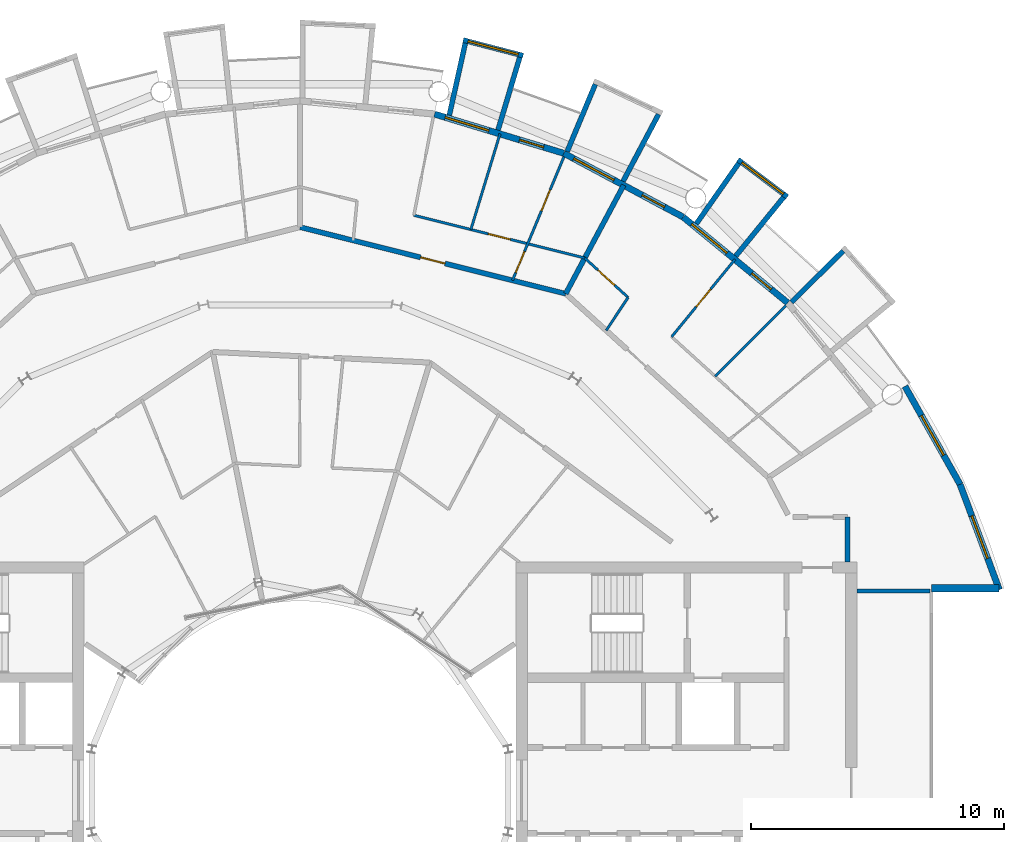
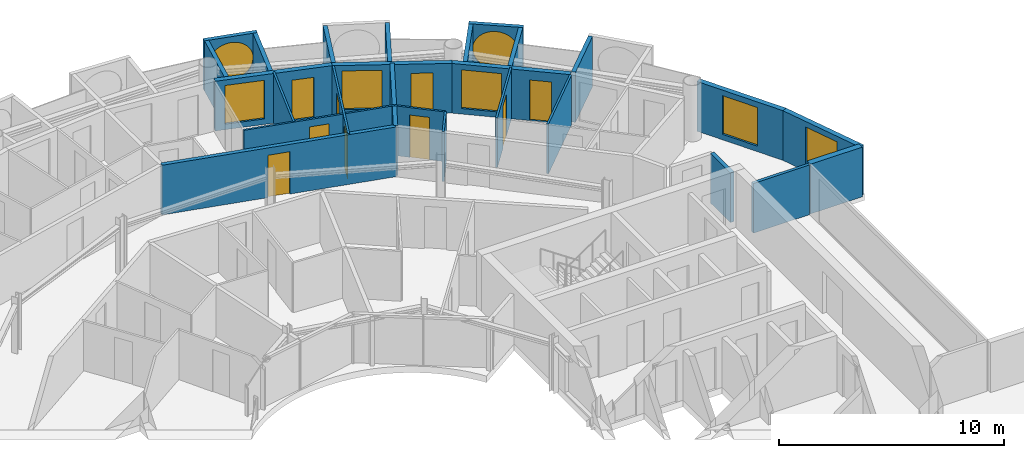
# One storey, part 24 of 29: 26 walls, 9 doors, 7 windows, 16 openings.
"""IFC4 building model written with IfcOpenShell, lengths in metres."""

from ifc_helpers import new_model, si_unit, direction, frame, frame_2d, origin, place, context, subcontext, project, spatial, rectangle, circle, extrude, material, layer, layer_set, type_object, element, fill, save


model = new_model("IFC4")

# Units and contexts
model_context = context("Model", 3, precision=1e-05, world=origin(), true_north=direction((0.0, 1.0)))
body_context = subcontext(model_context, "Body", "Model", "MODEL_VIEW")
ifc_project = project(units=[si_unit("LENGTHUNIT", "METRE"), si_unit("AREAUNIT", "SQUARE_METRE"), si_unit("VOLUMEUNIT", "CUBIC_METRE"), si_unit("PLANEANGLEUNIT", "RADIAN"), si_unit("MASSUNIT", "GRAM", prefix="KILO")], contexts=[model_context])

# Site, building, storey
site_placement = place(None, origin())
site = spatial("IfcSite", under=ifc_project, at=site_placement, CompositionType="ELEMENT")
building_placement = place(site_placement, origin())
building = spatial("IfcBuilding", under=site, at=building_placement, Name="Maasbend Ring Residences", CompositionType="ELEMENT")
storey_placement = place(building_placement, frame((0.0, 0.0, 193.25)))
storey = spatial("IfcBuildingStorey", under=building, at=storey_placement, Name="L55", CompositionType="ELEMENT", Elevation=193.25)

# Wall
ifc_material_1 = material(Name="Concrete C30/37", Category="concrete")
ifc_layer_1 = layer(ifc_material_1, 0.199951171875)
ifc_layer_set_1 = layer_set([ifc_layer_1], Name="Concrete C30/37")
wall_type_1 = type_object("IfcWallType", Name="CORRIDOR WALL 200 CONCRETE", PredefinedType="PARTITIONING", material=ifc_layer_set_1)
wall_1_placement = place(storey_placement, frame((21.675048828125, 9.050048828125, 0.0), z_axis=(0.0, 0.0, 1.0), x_axis=(0.0, 1.0, 0.0)))
element("IfcWall", 1, at=wall_1_placement, inside=storey, type_object=wall_type_1, Name="U-L55-w012", PredefinedType="PARTITIONING", context=body_context, shape_type="SweptSolid", body=[
    extrude(rectangle(XDim=1.77490234375, YDim=0.199951171875, at=frame_2d((0.887451171875, 0.0))), origin(), (0.0, 0.0, 1.0), 2.699951171875),
])

# Wall, opening, door
wall_2_placement = place(storey_placement, frame((0.0, 22.300048828125, 0.0), z_axis=(0.0, 0.0, 1.0), x_axis=(0.969975443945, -0.243202874456, 0.0)))
wall_2 = element("IfcWall", 2, at=wall_2_placement, inside=storey, type_object=wall_type_1, Name="U-L55-w106", PredefinedType="PARTITIONING", context=body_context, shape_type="SweptSolid", body=[
    extrude(rectangle(XDim=10.8466796875, YDim=0.199951171875, at=frame_2d((5.42333984375, 0.0))), origin(), (0.0, 0.0, 1.0), 2.699951171875),
])
opening_1_placement = place(wall_2_placement, frame((4.91796875, 0.0, 0.0)))
opening_1 = element("IfcOpeningElement", 3, at=opening_1_placement, cuts=wall_2, Name="Opening D-5507", PredefinedType="OPENING", context=body_context, shape_type="SweptSolid", body=[
    extrude(rectangle(XDim=1.0, YDim=2.300048828125, at=frame_2d((0.5, 1.14990234375))), frame((0.0, 0.10986328125, 0.0), z_axis=(0.0, -1.0, 0.0), x_axis=(1.0, 0.0, 0.0)), (0.0, 0.0, 1.0), 0.219970703125),
])
ifc_material_2 = material(Name="Timber, fire-rated, painted", Category="wood")
door_type_1 = type_object("IfcDoorType", Name="FLAT ENTRANCE DOOR 1000 X 2300 FIRE-RATED", OperationType="NOTDEFINED", PredefinedType="DOOR", material=ifc_material_2)
door_1_placement = place(opening_1_placement, origin())
door_1 = element("IfcDoor", 4, at=door_1_placement, inside=storey, type_object=door_type_1, Name="D-5507", OperationType="SINGLE_SWING_LEFT", OverallHeight=2.300048828125, OverallWidth=1.0, PredefinedType="DOOR", context=body_context, shape_type="SweptSolid", body=[
    extrude(rectangle(XDim=1.0, YDim=2.300048828125, at=frame_2d((0.5, 1.14990234375))), frame((0.0, 0.02490234375, 0.0), z_axis=(0.0, -1.0, 0.0), x_axis=(1.0, 0.0, 0.0)), (0.0, 0.0, 1.0), 0.050048828125),
])
fill(opening_1, door_1)

# Wall
ifc_material_3 = material(Name="Pale anodised aluminium panel", Category="aluminium")
ifc_layer_2 = layer(ifc_material_3, 0.199951171875)
ifc_layer_set_2 = layer_set([ifc_layer_2], Name="EW-BOX")
wall_type_2 = type_object("IfcWallType", Name="EW-BOX", PredefinedType="SOLIDWALL", material=ifc_layer_set_2)
wall_3_placement = place(storey_placement, frame((19.449951171875, 19.322998046875, -0.030029296875), z_axis=(0.0, 0.0, 1.0), x_axis=(0.709727076896, 0.704476739375, 0.0)))
element("IfcWall", 5, at=wall_3_placement, inside=storey, type_object=wall_type_2, Name="Box side wall N02 right", PredefinedType="SOLIDWALL", context=body_context, shape_type="SweptSolid", body=[
    extrude(rectangle(XDim=2.883056640625, YDim=0.199951171875, at=frame_2d((1.44140625, 0.0))), origin(), (0.0, 0.0, 1.0), 2.72998046875),
])

# Wall, opening, window
wall_4_placement = place(storey_placement, frame((19.2890625, 23.4970703125, -0.030029296875), z_axis=(0.0, 0.0, 1.0), x_axis=(-0.797887588059, 0.602806268067, 0.0)))
wall_4 = element("IfcWall", 6, at=wall_4_placement, inside=storey, type_object=wall_type_2, Name="Box front N04", PredefinedType="SOLIDWALL", context=body_context, shape_type="SweptSolid", body=[
    extrude(rectangle(XDim=2.446533203125, YDim=0.199951171875, at=frame_2d((1.22314453125, 0.0))), origin(), (0.0, 0.0, 1.0), 2.72998046875),
])
opening_2_placement = place(wall_4_placement, frame((0.182861328125, 0.0, 0.330078125)))
opening_2 = element("IfcOpeningElement", 7, at=opening_2_placement, cuts=wall_4, Name="Opening W-RD", PredefinedType="OPENING", context=body_context, shape_type="SweptSolid", body=[
    extrude(circle(Radius=1.0400390625, at=frame_2d((1.0400390625, 1.0400390625))), frame((0.0, 0.10986328125, 0.0), z_axis=(0.0, -1.0, 0.0), x_axis=(1.0, 0.0, 0.0)), (0.0, 0.0, 1.0), 0.219970703125),
])
ifc_material_4 = material(Name="Aluminium and clear glass", Category="aluminium")
window_type_1 = type_object("IfcWindowType", Name="W-RD", PartitioningType="SINGLE_PANEL", PredefinedType="WINDOW", material=ifc_material_4)
window_1_placement = place(opening_2_placement, origin())
window_1 = element("IfcWindow", 8, at=window_1_placement, inside=storey, type_object=window_type_1, Name="Round window N04", OverallHeight=2.080078125, OverallWidth=2.080078125, PartitioningType="SINGLE_PANEL", PredefinedType="WINDOW", context=body_context, shape_type="SweptSolid", body=[
    extrude(circle(Radius=1.0400390625, at=frame_2d((1.0400390625, 1.0400390625))), frame((0.0, 0.030029296875, 0.0), z_axis=(0.0, -1.0, 0.0), x_axis=(1.0, 0.0, 0.0)), (0.0, 0.0, 1.0), 0.06005859375),
])
fill(opening_2, window_1)

# Walls
wall_5_placement = place(storey_placement, frame((17.24609375, 21.155029296875, -0.030029296875), z_axis=(0.0, 0.0, 1.0), x_axis=(0.631741648902, 0.775179004516, 0.0)))
element("IfcWall", 9, at=wall_5_placement, inside=storey, type_object=wall_type_2, Name="Box side wall N04 left", PredefinedType="SOLIDWALL", context=body_context, shape_type="SweptSolid", body=[
    extrude(rectangle(XDim=3.005859375, YDim=0.199951171875, at=frame_2d((1.5029296875, 0.0))), origin(), (0.0, 0.0, 1.0), 2.72998046875),
])
wall_6_placement = place(storey_placement, frame((15.68798828125, 22.43310546875, -0.030029296875), z_axis=(0.0, 0.0, 1.0), x_axis=(0.573260687834, 0.819373043115, 0.0)))
element("IfcWall", 10, at=wall_6_placement, inside=storey, type_object=wall_type_2, Name="Box side wall N04 right", PredefinedType="SOLIDWALL", context=body_context, shape_type="SweptSolid", body=[
    extrude(rectangle(XDim=2.92529296875, YDim=0.199951171875, at=frame_2d((1.462646484375, 0.0))), origin(), (0.0, 0.0, 1.0), 2.72998046875),
])
wall_7_placement = place(storey_placement, frame((12.787109375, 24.113037109375, -0.030029296875), z_axis=(0.0, 0.0, 1.0), x_axis=(0.468365282436, 0.883534924159, 0.0)))
element("IfcWall", 11, at=wall_7_placement, inside=storey, type_object=wall_type_2, Name="Box side wall N06 left", PredefinedType="SOLIDWALL", context=body_context, shape_type="SweptSolid", body=[
    extrude(rectangle(XDim=3.006103515625, YDim=0.199951171875, at=frame_2d((1.5029296875, 0.0))), origin(), (0.0, 0.0, 1.0), 2.72998046875),
])
wall_8_placement = place(storey_placement, frame((10.574951171875, 25.294921875, -0.030029296875), z_axis=(0.0, 0.0, 1.0), x_axis=(0.385697364644, 0.922625353492, 0.0)))
element("IfcWall", 12, at=wall_8_placement, inside=storey, type_object=wall_type_2, Name="Box side wall N06 right", PredefinedType="SOLIDWALL", context=body_context, shape_type="SweptSolid", body=[
    extrude(rectangle(XDim=2.88330078125, YDim=0.199951171875, at=frame_2d((1.441650390625, 0.0))), origin(), (0.0, 0.0, 1.0), 2.72998046875),
])

# Wall, opening, window
wall_9_placement = place(storey_placement, frame((8.8291015625, 29.090087890625, -0.030029296875), z_axis=(0.0, 0.0, 1.0), x_axis=(-0.96789536872, 0.251353446784, 0.0)))
wall_9 = element("IfcWall", 13, at=wall_9_placement, inside=storey, type_object=wall_type_2, Name="Box front N08", PredefinedType="SOLIDWALL", context=body_context, shape_type="SweptSolid", body=[
    extrude(rectangle(XDim=2.44677734375, YDim=0.199951171875, at=frame_2d((1.223388671875, 0.0))), origin(), (0.0, 0.0, 1.0), 2.72998046875),
])
opening_3_placement = place(wall_9_placement, frame((0.182861328125, 0.0, 0.330078125)))
opening_3 = element("IfcOpeningElement", 14, at=opening_3_placement, cuts=wall_9, Name="Opening W-RD", PredefinedType="OPENING", context=body_context, shape_type="SweptSolid", body=[
    extrude(circle(Radius=1.0400390625, at=frame_2d((1.0400390625, 1.0400390625))), frame((0.0, 0.10986328125, 0.0), z_axis=(0.0, -1.0, 0.0), x_axis=(1.0, 0.0, 0.0)), (0.0, 0.0, 1.0), 0.219970703125),
])
window_2_placement = place(opening_3_placement, origin())
window_2 = element("IfcWindow", 15, at=window_2_placement, inside=storey, type_object=window_type_1, Name="Round window N08", OverallHeight=2.080078125, OverallWidth=2.080078125, PartitioningType="SINGLE_PANEL", PredefinedType="WINDOW", context=body_context, shape_type="SweptSolid", body=[
    extrude(circle(Radius=1.0400390625, at=frame_2d((1.0400390625, 1.0400390625))), frame((0.0, 0.030029296875, 0.0), z_axis=(0.0, -1.0, 0.0), x_axis=(1.0, 0.0, 0.0)), (0.0, 0.0, 1.0), 0.06005859375),
])
fill(opening_3, window_2)

# Walls
wall_10_placement = place(storey_placement, frame((7.8369140625, 26.14404296875, -0.030029296875), z_axis=(0.0, 0.0, 1.0), x_axis=(0.287064767992, 0.957911174889, 0.0)))
element("IfcWall", 16, at=wall_10_placement, inside=storey, type_object=wall_type_2, Name="Box side wall N08 left", PredefinedType="SOLIDWALL", context=body_context, shape_type="SweptSolid", body=[
    extrude(rectangle(XDim=3.00634765625, YDim=0.199951171875, at=frame_2d((1.503173828125, 0.0))), origin(), (0.0, 0.0, 1.0), 2.72998046875),
])
wall_11_placement = place(storey_placement, frame((5.908935546875, 26.72900390625, -0.030029296875), z_axis=(0.0, 0.0, 1.0), x_axis=(0.216409053917, 0.976302781612, 0.0)))
element("IfcWall", 17, at=wall_11_placement, inside=storey, type_object=wall_type_2, Name="Box side wall N08 right", PredefinedType="SOLIDWALL", context=body_context, shape_type="SweptSolid", body=[
    extrude(rectangle(XDim=2.92529296875, YDim=0.199951171875, at=frame_2d((1.462646484375, 0.0))), origin(), (0.0, 0.0, 1.0), 2.72998046875),
])

# Wall, openings, door, window
ifc_material_5 = material(Name="Aluminium clad insulated panel", Category="aluminium")
ifc_layer_3 = layer(ifc_material_5, 0.25)
ifc_layer_set_3 = layer_set([ifc_layer_3], Name="EW-GL")
wall_type_3 = type_object("IfcWallType", Name="EW-GL", PredefinedType="SOLIDWALL", material=ifc_layer_set_3)
wall_12_placement = place(storey_placement, frame((19.303955078125, 19.303955078125, 0.0), z_axis=(0.0, 0.0, 1.0), x_axis=(-0.773019449054, 0.634382322723, 0.0)))
wall_12 = element("IfcWall", 18, at=wall_12_placement, inside=storey, type_object=wall_type_3, Name="External wall N02", PredefinedType="SOLIDWALL", context=body_context, shape_type="SweptSolid", body=[
    extrude(rectangle(XDim=5.351806640625, YDim=0.25, at=frame_2d((2.67578125, 0.0))), origin(), (0.0, 0.0, 1.0), 2.699951171875),
])
opening_4_placement = place(wall_12_placement, frame((0.841064453125, 0.0, 0.0)))
opening_4 = element("IfcOpeningElement", 19, at=opening_4_placement, cuts=wall_12, Name="Opening D-LG", PredefinedType="OPENING", context=body_context, shape_type="SweptSolid", body=[
    extrude(rectangle(XDim=1.0, YDim=2.199951171875, at=frame_2d((0.5, 1.10009765625))), frame((0.0, 0.135009765625, 0.0), z_axis=(0.0, -1.0, 0.0), x_axis=(1.0, 0.0, 0.0)), (0.0, 0.0, 1.0), 0.27001953125),
])
opening_5_placement = place(wall_12_placement, frame((3.110595703125, 0.0, 0.300048828125)))
opening_5 = element("IfcOpeningElement", 20, at=opening_5_placement, cuts=wall_12, Name="Opening W-BX", PredefinedType="OPENING", context=body_context, shape_type="SweptSolid", body=[
    extrude(rectangle(XDim=1.800048828125, YDim=2.10009765625, at=frame_2d((0.89990234375, 1.050048828125))), frame((0.0, 0.135009765625, 0.0), z_axis=(0.0, -1.0, 0.0), x_axis=(1.0, 0.0, 0.0)), (0.0, 0.0, 1.0), 0.27001953125),
])
ifc_material_6 = material(Name="Aluminium and clear glass", Category="aluminium")
door_type_2 = type_object("IfcDoorType", Name="D-LG", OperationType="SINGLE_SWING_LEFT", PredefinedType="DOOR", material=ifc_material_6)
door_2_placement = place(opening_4_placement, origin())
door_2 = element("IfcDoor", 21, at=door_2_placement, inside=storey, type_object=door_type_2, Name="Loggia door N03", OperationType="SINGLE_SWING_LEFT", OverallHeight=2.199951171875, OverallWidth=1.0, PredefinedType="DOOR", context=body_context, shape_type="SweptSolid", body=[
    extrude(rectangle(XDim=1.0, YDim=2.199951171875, at=frame_2d((0.5, 1.10009765625))), frame((0.0, 0.02490234375, 0.0), z_axis=(0.0, -1.0, 0.0), x_axis=(1.0, 0.0, 0.0)), (0.0, 0.0, 1.0), 0.050048828125),
])
fill(opening_4, door_2)
ifc_material_7 = material(Name="Aluminium and clear glass", Category="aluminium")
window_type_2 = type_object("IfcWindowType", Name="W-BX", PartitioningType="DOUBLE_PANEL_VERTICAL", PredefinedType="WINDOW", material=ifc_material_7)
window_3_placement = place(opening_5_placement, origin())
window_3 = element("IfcWindow", 22, at=window_3_placement, inside=storey, type_object=window_type_2, Name="Window N04 room to box", OverallHeight=2.10009765625, OverallWidth=1.800048828125, PartitioningType="SINGLE_PANEL", PredefinedType="WINDOW", context=body_context, shape_type="SweptSolid", body=[
    extrude(rectangle(XDim=1.800048828125, YDim=2.10009765625, at=frame_2d((0.89990234375, 1.050048828125))), frame((0.0, 0.030029296875, 0.0), z_axis=(0.0, -1.0, 0.0), x_axis=(1.0, 0.0, 0.0)), (0.0, 0.0, 1.0), 0.06005859375),
])
fill(opening_5, window_3)

wall_13_placement = place(storey_placement, frame((15.1669921875, 22.698974609375, 0.0), z_axis=(0.0, 0.0, 1.0), x_axis=(-0.881915646801, 0.471407246368, 0.0)))
wall_13 = element("IfcWall", 23, at=wall_13_placement, inside=storey, type_object=wall_type_3, Name="External wall N03", PredefinedType="SOLIDWALL", context=body_context, shape_type="SweptSolid", body=[
    extrude(rectangle(XDim=5.35205078125, YDim=0.25, at=frame_2d((2.676025390625, 0.0))), origin(), (0.0, 0.0, 1.0), 2.699951171875),
])
opening_6_placement = place(wall_13_placement, frame((0.841064453125, 0.0, 0.0)))
opening_6 = element("IfcOpeningElement", 24, at=opening_6_placement, cuts=wall_13, Name="Opening D-LG", PredefinedType="OPENING", context=body_context, shape_type="SweptSolid", body=[
    extrude(rectangle(XDim=1.0, YDim=2.199951171875, at=frame_2d((0.5, 1.10009765625))), frame((0.0, 0.135009765625, 0.0), z_axis=(0.0, -1.0, 0.0), x_axis=(1.0, 0.0, 0.0)), (0.0, 0.0, 1.0), 0.27001953125),
])
opening_7_placement = place(wall_13_placement, frame((3.110595703125, 0.0, 0.300048828125)))
opening_7 = element("IfcOpeningElement", 25, at=opening_7_placement, cuts=wall_13, Name="Opening W-BX", PredefinedType="OPENING", context=body_context, shape_type="SweptSolid", body=[
    extrude(rectangle(XDim=1.800048828125, YDim=2.10009765625, at=frame_2d((0.89990234375, 1.050048828125))), frame((0.0, 0.135009765625, 0.0), z_axis=(0.0, -1.0, 0.0), x_axis=(1.0, 0.0, 0.0)), (0.0, 0.0, 1.0), 0.27001953125),
])
door_3_placement = place(opening_6_placement, origin())
door_3 = element("IfcDoor", 26, at=door_3_placement, inside=storey, type_object=door_type_2, Name="Loggia door N05", OperationType="SINGLE_SWING_LEFT", OverallHeight=2.199951171875, OverallWidth=1.0, PredefinedType="DOOR", context=body_context, shape_type="SweptSolid", body=[
    extrude(rectangle(XDim=1.0, YDim=2.199951171875, at=frame_2d((0.5, 1.10009765625))), frame((0.0, 0.02490234375, 0.0), z_axis=(0.0, -1.0, 0.0), x_axis=(1.0, 0.0, 0.0)), (0.0, 0.0, 1.0), 0.050048828125),
])
fill(opening_6, door_3)
window_4_placement = place(opening_7_placement, origin())
window_4 = element("IfcWindow", 27, at=window_4_placement, inside=storey, type_object=window_type_2, Name="Window N06 room to box", OverallHeight=2.10009765625, OverallWidth=1.800048828125, PartitioningType="SINGLE_PANEL", PredefinedType="WINDOW", context=body_context, shape_type="SweptSolid", body=[
    extrude(rectangle(XDim=1.800048828125, YDim=2.10009765625, at=frame_2d((0.89990234375, 1.050048828125))), frame((0.0, 0.030029296875, 0.0), z_axis=(0.0, -1.0, 0.0), x_axis=(1.0, 0.0, 0.0)), (0.0, 0.0, 1.0), 0.06005859375),
])
fill(opening_7, window_4)

wall_14_placement = place(storey_placement, frame((10.447021484375, 25.221923828125, 0.0), z_axis=(0.0, 0.0, 1.0), x_axis=(-0.956965678721, 0.290201119486, 0.0)))
wall_14 = element("IfcWall", 28, at=wall_14_placement, inside=storey, type_object=wall_type_3, Name="External wall N04", PredefinedType="SOLIDWALL", context=body_context, shape_type="SweptSolid", body=[
    extrude(rectangle(XDim=5.351318359375, YDim=0.25, at=frame_2d((2.67578125, 0.0))), origin(), (0.0, 0.0, 1.0), 2.699951171875),
])
opening_8_placement = place(wall_14_placement, frame((0.841064453125, 0.0, 0.0)))
opening_8 = element("IfcOpeningElement", 29, at=opening_8_placement, cuts=wall_14, Name="Opening D-LG", PredefinedType="OPENING", context=body_context, shape_type="SweptSolid", body=[
    extrude(rectangle(XDim=1.0, YDim=2.199951171875, at=frame_2d((0.5, 1.10009765625))), frame((0.0, 0.135009765625, 0.0), z_axis=(0.0, -1.0, 0.0), x_axis=(1.0, 0.0, 0.0)), (0.0, 0.0, 1.0), 0.27001953125),
])
opening_9_placement = place(wall_14_placement, frame((3.110595703125, 0.0, 0.300048828125)))
opening_9 = element("IfcOpeningElement", 30, at=opening_9_placement, cuts=wall_14, Name="Opening W-BX", PredefinedType="OPENING", context=body_context, shape_type="SweptSolid", body=[
    extrude(rectangle(XDim=1.800048828125, YDim=2.10009765625, at=frame_2d((0.89990234375, 1.050048828125))), frame((0.0, 0.135009765625, 0.0), z_axis=(0.0, -1.0, 0.0), x_axis=(1.0, 0.0, 0.0)), (0.0, 0.0, 1.0), 0.27001953125),
])
door_4_placement = place(opening_8_placement, origin())
door_4 = element("IfcDoor", 31, at=door_4_placement, inside=storey, type_object=door_type_2, Name="Loggia door N07", OperationType="SINGLE_SWING_LEFT", OverallHeight=2.199951171875, OverallWidth=1.0, PredefinedType="DOOR", context=body_context, shape_type="SweptSolid", body=[
    extrude(rectangle(XDim=1.0, YDim=2.199951171875, at=frame_2d((0.5, 1.10009765625))), frame((0.0, 0.02490234375, 0.0), z_axis=(0.0, -1.0, 0.0), x_axis=(1.0, 0.0, 0.0)), (0.0, 0.0, 1.0), 0.050048828125),
])
fill(opening_8, door_4)
window_5_placement = place(opening_9_placement, origin())
window_5 = element("IfcWindow", 32, at=window_5_placement, inside=storey, type_object=window_type_2, Name="Window N08 room to box", OverallHeight=2.10009765625, OverallWidth=1.800048828125, PartitioningType="SINGLE_PANEL", PredefinedType="WINDOW", context=body_context, shape_type="SweptSolid", body=[
    extrude(rectangle(XDim=1.800048828125, YDim=2.10009765625, at=frame_2d((0.89990234375, 1.050048828125))), frame((0.0, 0.030029296875, 0.0), z_axis=(0.0, -1.0, 0.0), x_axis=(1.0, 0.0, 0.0)), (0.0, 0.0, 1.0), 0.06005859375),
])
fill(opening_9, window_5)

# Wall, opening, window
ifc_material_8 = material(Name="Aluminium clad insulated panel", Category="aluminium")
ifc_layer_4 = layer(ifc_material_8, 0.25)
ifc_layer_set_4 = layer_set([ifc_layer_4], Name="EW-HORN")
wall_type_4 = type_object("IfcWallType", Name="EW-HORN", PredefinedType="SOLIDWALL", material=ifc_layer_set_4)
wall_15_placement = place(storey_placement, frame((27.681884765625, 7.945068359375, 0.0), z_axis=(0.0, 0.0, 1.0), x_axis=(-0.349247811493, 0.937030397675, 0.0)))
wall_15 = element("IfcWall", 33, at=wall_15_placement, inside=storey, type_object=wall_type_4, Name="Horn wall 1.1", PredefinedType="SOLIDWALL", context=body_context, shape_type="SweptSolid", body=[
    extrude(rectangle(XDim=4.4521484375, YDim=0.25, at=frame_2d((2.22607421875, 0.0))), origin(), (0.0, 0.0, 1.0), 2.699951171875),
])
opening_10_placement = place(wall_15_placement, frame((1.32666015625, 0.0, 0.300048828125)))
opening_10 = element("IfcOpeningElement", 34, at=opening_10_placement, cuts=wall_15, Name="Opening W-BX", PredefinedType="OPENING", context=body_context, shape_type="SweptSolid", body=[
    extrude(rectangle(XDim=1.800048828125, YDim=2.10009765625, at=frame_2d((0.89990234375, 1.050048828125))), frame((0.0, 0.135009765625, 0.0), z_axis=(0.0, -1.0, 0.0), x_axis=(1.0, 0.0, 0.0)), (0.0, 0.0, 1.0), 0.27001953125),
])
window_6_placement = place(opening_10_placement, origin())
window_6 = element("IfcWindow", 35, at=window_6_placement, inside=storey, type_object=window_type_2, Name="Horn window 1.1", OverallHeight=2.10009765625, OverallWidth=1.800048828125, PartitioningType="SINGLE_PANEL", PredefinedType="WINDOW", context=body_context, shape_type="SweptSolid", body=[
    extrude(rectangle(XDim=1.800048828125, YDim=2.10009765625, at=frame_2d((0.89990234375, 1.050048828125))), frame((0.0, 0.030029296875, 0.0), z_axis=(0.0, -1.0, 0.0), x_axis=(1.0, 0.0, 0.0)), (0.0, 0.0, 1.0), 0.06005859375),
])
fill(opening_10, window_6)

wall_16_placement = place(storey_placement, frame((26.126953125, 12.116943359375, 0.0), z_axis=(0.0, 0.0, 1.0), x_axis=(-0.489696356642, 0.871893042919, 0.0)))
wall_16 = element("IfcWall", 36, at=wall_16_placement, inside=storey, type_object=wall_type_4, Name="Horn wall 1.2", PredefinedType="SOLIDWALL", context=body_context, shape_type="SweptSolid", body=[
    extrude(rectangle(XDim=4.45361328125, YDim=0.25, at=frame_2d((2.226806640625, 0.0))), origin(), (0.0, 0.0, 1.0), 2.699951171875),
])
opening_11_placement = place(wall_16_placement, frame((1.32666015625, 0.0, 0.300048828125)))
opening_11 = element("IfcOpeningElement", 37, at=opening_11_placement, cuts=wall_16, Name="Opening W-BX", PredefinedType="OPENING", context=body_context, shape_type="SweptSolid", body=[
    extrude(rectangle(XDim=1.800048828125, YDim=2.10009765625, at=frame_2d((0.89990234375, 1.050048828125))), frame((0.0, 0.135009765625, 0.0), z_axis=(0.0, -1.0, 0.0), x_axis=(1.0, 0.0, 0.0)), (0.0, 0.0, 1.0), 0.27001953125),
])
window_7_placement = place(opening_11_placement, origin())
window_7 = element("IfcWindow", 38, at=window_7_placement, inside=storey, type_object=window_type_2, Name="Horn window 1.2", OverallHeight=2.10009765625, OverallWidth=1.800048828125, PartitioningType="SINGLE_PANEL", PredefinedType="WINDOW", context=body_context, shape_type="SweptSolid", body=[
    extrude(rectangle(XDim=1.800048828125, YDim=2.10009765625, at=frame_2d((0.89990234375, 1.050048828125))), frame((0.0, 0.030029296875, 0.0), z_axis=(0.0, -1.0, 0.0), x_axis=(1.0, 0.0, 0.0)), (0.0, 0.0, 1.0), 0.06005859375),
])
fill(opening_11, window_7)

# Wall
ifc_material_9 = material(Name="Aluminium clad insulated panel", Category="aluminium")
ifc_layer_5 = layer(ifc_material_9, 0.300048828125)
ifc_layer_set_5 = layer_set([ifc_layer_5], Name="EW-RET")
wall_type_5 = type_object("IfcWallType", Name="EW-RET", PredefinedType="SOLIDWALL", material=ifc_layer_set_5)
wall_17_placement = place(storey_placement, frame((25.0, 8.0, 0.0), z_axis=(0.0, 0.0, 1.0), x_axis=(1.0, 0.0, 0.0)))
element("IfcWall", 39, at=wall_17_placement, inside=storey, type_object=wall_type_5, Name="Notch return wall east north", PredefinedType="SOLIDWALL", context=body_context, shape_type="SweptSolid", body=[
    extrude(rectangle(XDim=2.6669921875, YDim=0.300048828125, at=frame_2d((1.33349609375, 0.0))), origin(), (0.0, 0.0, 1.0), 2.699951171875),
])

# Wall, openings, doors
ifc_material_10 = material(Name="Gypsum board on steel studs", Category="steel")
ifc_layer_6 = layer(ifc_material_10, 0.10009765625)
ifc_layer_set_6 = layer_set([ifc_layer_6], Name="PARTITION 100 GYPSUM")
wall_type_6 = type_object("IfcWallType", Name="PARTITION 100 GYPSUM", PredefinedType="PARTITIONING", material=ifc_layer_set_6)
wall_18_placement = place(storey_placement, frame((8.409912109375, 20.193115234375, 0.0), z_axis=(0.0, 0.0, 1.0), x_axis=(0.38420646001, 0.923247202046, 0.0)))
wall_18 = element("IfcWall", 40, at=wall_18_placement, inside=storey, type_object=wall_type_6, Name="U-L55-w031", PredefinedType="PARTITIONING", context=body_context, shape_type="SweptSolid", body=[
    extrude(rectangle(XDim=5.299560546875, YDim=0.10009765625, at=frame_2d((2.64990234375, 0.0))), origin(), (0.0, 0.0, 1.0), 2.699951171875),
])
opening_12_placement = place(wall_18_placement, frame((0.3349609375, 0.0, 0.0)))
opening_12 = element("IfcOpeningElement", 41, at=opening_12_placement, cuts=wall_18, Name="Opening D-5509", PredefinedType="OPENING", context=body_context, shape_type="SweptSolid", body=[
    extrude(rectangle(XDim=0.89990234375, YDim=2.300048828125, at=frame_2d((0.449951171875, 1.14990234375))), frame((0.0, 0.06005859375, 0.0), z_axis=(0.0, -1.0, 0.0), x_axis=(1.0, 0.0, 0.0)), (0.0, 0.0, 1.0), 0.1201171875),
])
opening_13_placement = place(wall_18_placement, frame((2.985107421875, 0.0, 0.0)))
opening_13 = element("IfcOpeningElement", 42, at=opening_13_placement, cuts=wall_18, Name="Opening D-5512", PredefinedType="OPENING", context=body_context, shape_type="SweptSolid", body=[
    extrude(rectangle(XDim=0.89990234375, YDim=2.300048828125, at=frame_2d((0.449951171875, 1.14990234375))), frame((0.0, 0.06005859375, 0.0), z_axis=(0.0, -1.0, 0.0), x_axis=(1.0, 0.0, 0.0)), (0.0, 0.0, 1.0), 0.1201171875),
])
ifc_material_11 = material(Name="Timber, painted", Category="wood")
door_type_3 = type_object("IfcDoorType", Name="INTERNAL DOOR 900 X 2300", OperationType="NOTDEFINED", PredefinedType="DOOR", material=ifc_material_11)
door_5_placement = place(opening_12_placement, origin())
door_5 = element("IfcDoor", 43, at=door_5_placement, inside=storey, type_object=door_type_3, Name="D-5509", OperationType="SINGLE_SWING_LEFT", OverallHeight=2.300048828125, OverallWidth=0.89990234375, PredefinedType="DOOR", context=body_context, shape_type="SweptSolid", body=[
    extrude(rectangle(XDim=0.89990234375, YDim=2.300048828125, at=frame_2d((0.449951171875, 1.14990234375))), frame((0.0, 0.02490234375, 0.0), z_axis=(0.0, -1.0, 0.0), x_axis=(1.0, 0.0, 0.0)), (0.0, 0.0, 1.0), 0.050048828125),
])
fill(opening_12, door_5)
door_6_placement = place(opening_13_placement, origin())
door_6 = element("IfcDoor", 44, at=door_6_placement, inside=storey, type_object=door_type_3, Name="D-5512", OperationType="SINGLE_SWING_RIGHT", OverallHeight=2.300048828125, OverallWidth=0.89990234375, PredefinedType="DOOR", context=body_context, shape_type="SweptSolid", body=[
    extrude(rectangle(XDim=0.89990234375, YDim=2.300048828125, at=frame_2d((0.449951171875, 1.14990234375))), frame((0.0, 0.02490234375, 0.0), z_axis=(0.0, -1.0, 0.0), x_axis=(1.0, 0.0, 0.0)), (0.0, 0.0, 1.0), 0.050048828125),
])
fill(opening_13, door_6)

# Walls
wall_19_placement = place(storey_placement, frame((6.762939453125, 22.2060546875, 0.0), z_axis=(0.0, 0.0, 1.0), x_axis=(0.291291575636, 0.956634317785, 0.0)))
element("IfcWall", 45, at=wall_19_placement, inside=storey, type_object=wall_type_6, Name="U-L55-w077", PredefinedType="PARTITIONING", context=body_context, shape_type="SweptSolid", body=[
    extrude(rectangle(XDim=3.9619140625, YDim=0.10009765625, at=frame_2d((1.98095703125, 0.0))), origin(), (0.0, 0.0, 1.0), 2.699951171875),
])
wall_20_placement = place(storey_placement, frame((12.117919921875, 18.2109375, 0.0), z_axis=(0.0, 0.0, 1.0), x_axis=(0.554125989098, 0.832432813028, 0.0)))
element("IfcWall", 46, at=wall_20_placement, inside=storey, type_object=wall_type_6, Name="U-L55-w082", PredefinedType="PARTITIONING", context=body_context, shape_type="SweptSolid", body=[
    extrude(rectangle(XDim=1.5703125, YDim=0.10009765625, at=frame_2d((0.78515625, 0.0))), origin(), (0.0, 0.0, 1.0), 2.699951171875),
])

# Wall, opening, door
wall_21_placement = place(storey_placement, frame((14.708984375, 17.9580078125, 0.0), z_axis=(0.0, 0.0, 1.0), x_axis=(0.633590098448, 0.773668913133, 0.0)))
wall_21 = element("IfcWall", 47, at=wall_21_placement, inside=storey, type_object=wall_type_6, Name="U-L55-w084", PredefinedType="PARTITIONING", context=body_context, shape_type="SweptSolid", body=[
    extrude(rectangle(XDim=3.961669921875, YDim=0.10009765625, at=frame_2d((1.98095703125, 0.0))), origin(), (0.0, 0.0, 1.0), 2.699951171875),
])
opening_14_placement = place(wall_21_placement, frame((1.531005859375, 0.0, 0.0)))
opening_14 = element("IfcOpeningElement", 48, at=opening_14_placement, cuts=wall_21, Name="Opening D-5504", PredefinedType="OPENING", context=body_context, shape_type="SweptSolid", body=[
    extrude(rectangle(XDim=0.89990234375, YDim=2.300048828125, at=frame_2d((0.449951171875, 1.14990234375))), frame((0.0, 0.06005859375, 0.0), z_axis=(0.0, -1.0, 0.0), x_axis=(1.0, 0.0, 0.0)), (0.0, 0.0, 1.0), 0.1201171875),
])
door_7_placement = place(opening_14_placement, origin())
door_7 = element("IfcDoor", 49, at=door_7_placement, inside=storey, type_object=door_type_3, Name="D-5504", OperationType="SINGLE_SWING_RIGHT", OverallHeight=2.300048828125, OverallWidth=0.89990234375, PredefinedType="DOOR", context=body_context, shape_type="SweptSolid", body=[
    extrude(rectangle(XDim=0.89990234375, YDim=2.300048828125, at=frame_2d((0.449951171875, 1.14990234375))), frame((0.0, 0.02490234375, 0.0), z_axis=(0.0, -1.0, 0.0), x_axis=(1.0, 0.0, 0.0)), (0.0, 0.0, 1.0), 0.050048828125),
])
fill(opening_14, door_7)

# Wall
wall_22_placement = place(storey_placement, frame((16.429931640625, 16.39794921875, 0.0), z_axis=(0.0, 0.0, 1.0), x_axis=(0.707722727509, 0.706490297858, 0.0)))
element("IfcWall", 50, at=wall_22_placement, inside=storey, type_object=wall_type_6, Name="U-L55-w086", PredefinedType="PARTITIONING", context=body_context, shape_type="SweptSolid", body=[
    extrude(rectangle(XDim=3.9619140625, YDim=0.10009765625, at=frame_2d((1.98095703125, 0.0))), origin(), (0.0, 0.0, 1.0), 2.699951171875),
])

# Wall, opening, door
wall_23_placement = place(storey_placement, frame((4.501953125, 22.77099609375, 0.0), z_axis=(0.0, 0.0, 1.0), x_axis=(0.970072433546, -0.242815719578, 0.0)))
wall_23 = element("IfcWall", 51, at=wall_23_placement, inside=storey, type_object=wall_type_6, Name="U-L55-w117", PredefinedType="PARTITIONING", context=body_context, shape_type="SweptSolid", body=[
    extrude(rectangle(XDim=6.972900390625, YDim=0.10009765625, at=frame_2d((3.486328125, 0.0))), origin(), (0.0, 0.0, 1.0), 2.699951171875),
])
opening_15_placement = place(wall_23_placement, frame((3.035888671875, 0.0, 0.0)))
opening_15 = element("IfcOpeningElement", 52, at=opening_15_placement, cuts=wall_23, Name="Opening D-5511", PredefinedType="OPENING", context=body_context, shape_type="SweptSolid", body=[
    extrude(rectangle(XDim=0.89990234375, YDim=2.300048828125, at=frame_2d((0.449951171875, 1.14990234375))), frame((0.0, 0.06005859375, 0.0), z_axis=(0.0, -1.0, 0.0), x_axis=(1.0, 0.0, 0.0)), (0.0, 0.0, 1.0), 0.1201171875),
])
door_8_placement = place(opening_15_placement, origin())
door_8 = element("IfcDoor", 53, at=door_8_placement, inside=storey, type_object=door_type_3, Name="D-5511", OperationType="SINGLE_SWING_RIGHT", OverallHeight=2.300048828125, OverallWidth=0.89990234375, PredefinedType="DOOR", context=body_context, shape_type="SweptSolid", body=[
    extrude(rectangle(XDim=0.89990234375, YDim=2.300048828125, at=frame_2d((0.449951171875, 1.14990234375))), frame((0.0, 0.02490234375, 0.0), z_axis=(0.0, -1.0, 0.0), x_axis=(1.0, 0.0, 0.0)), (0.0, 0.0, 1.0), 0.050048828125),
])
fill(opening_15, door_8)

wall_24_placement = place(storey_placement, frame((11.27099609375, 21.073974609375, 0.0), z_axis=(0.0, 0.0, 1.0), x_axis=(0.74087097024, -0.671647381783, 0.0)))
wall_24 = element("IfcWall", 54, at=wall_24_placement, inside=storey, type_object=wall_type_6, Name="U-L55-w118", PredefinedType="PARTITIONING", context=body_context, shape_type="SweptSolid", body=[
    extrude(rectangle(XDim=2.32421875, YDim=0.10009765625, at=frame_2d((1.162109375, 0.0))), origin(), (0.0, 0.0, 1.0), 2.699951171875),
])
opening_16_placement = place(wall_24_placement, frame((0.705078125, 0.0, 0.0)))
opening_16 = element("IfcOpeningElement", 55, at=opening_16_placement, cuts=wall_24, Name="Opening D-5502", PredefinedType="OPENING", context=body_context, shape_type="SweptSolid", body=[
    extrude(rectangle(XDim=0.89990234375, YDim=2.300048828125, at=frame_2d((0.449951171875, 1.14990234375))), frame((0.0, 0.06005859375, 0.0), z_axis=(0.0, -1.0, 0.0), x_axis=(1.0, 0.0, 0.0)), (0.0, 0.0, 1.0), 0.1201171875),
])
door_9_placement = place(opening_16_placement, origin())
door_9 = element("IfcDoor", 56, at=door_9_placement, inside=storey, type_object=door_type_3, Name="D-5502", OperationType="SINGLE_SWING_LEFT", OverallHeight=2.300048828125, OverallWidth=0.89990234375, PredefinedType="DOOR", context=body_context, shape_type="SweptSolid", body=[
    extrude(rectangle(XDim=0.89990234375, YDim=2.300048828125, at=frame_2d((0.449951171875, 1.14990234375))), frame((0.0, 0.02490234375, 0.0), z_axis=(0.0, -1.0, 0.0), x_axis=(1.0, 0.0, 0.0)), (0.0, 0.0, 1.0), 0.050048828125),
])
fill(opening_16, door_9)

# Walls
ifc_material_12 = material(Name="Gypsum board on steel studs", Category="steel")
ifc_layer_7 = layer(ifc_material_12, 0.14990234375)
ifc_layer_set_7 = layer_set([ifc_layer_7], Name="PARTITION 150 EI 60")
wall_type_7 = type_object("IfcWallType", Name="PARTITION 150 EI 60", PredefinedType="PARTITIONING", material=ifc_layer_set_7)
wall_25_placement = place(storey_placement, frame((22.050048828125, 7.89990234375, 0.0), z_axis=(0.0, 0.0, 1.0), x_axis=(1.0, 0.0, 0.0)))
element("IfcWall", 57, at=wall_25_placement, inside=storey, type_object=wall_type_7, Name="L55 core E wall CITN", PredefinedType="PARTITIONING", context=body_context, shape_type="SweptSolid", body=[
    extrude(rectangle(XDim=2.889892578125, YDim=0.14990234375, at=frame_2d((1.44482421875, 0.0))), origin(), (0.0, 0.0, 1.0), 2.699951171875),
])
ifc_material_13 = material(Name="Concrete C30/37", Category="concrete")
ifc_layer_8 = layer(ifc_material_13, 0.199951171875)
ifc_layer_set_8 = layer_set([ifc_layer_8], Name="Concrete C30/37")
wall_type_8 = type_object("IfcWallType", Name="PARTY WALL 200 CONCRETE", PredefinedType="PARTITIONING", material=ifc_layer_set_8)
wall_26_placement = place(storey_placement, frame((10.51611328125, 19.6650390625, 0.0), z_axis=(0.0, 0.0, 1.0), x_axis=(0.471388689095, 0.881925565903, 0.0)))
element("IfcWall", 58, at=wall_26_placement, inside=storey, type_object=wall_type_8, Name="U-L55-w080", PredefinedType="PARTITIONING", context=body_context, shape_type="SweptSolid", body=[
    extrude(rectangle(XDim=4.874755859375, YDim=0.199951171875, at=frame_2d((2.4375, 0.0))), origin(), (0.0, 0.0, 1.0), 2.699951171875),
])

save(model, "model.ifc")
